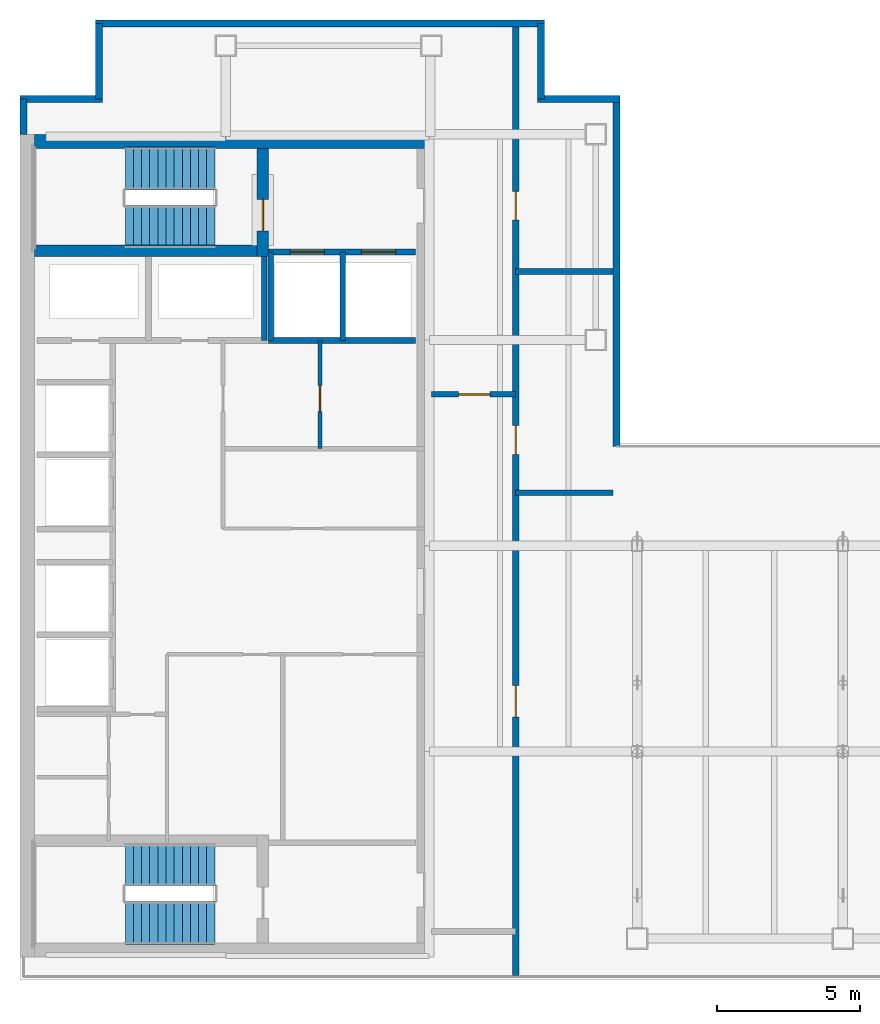
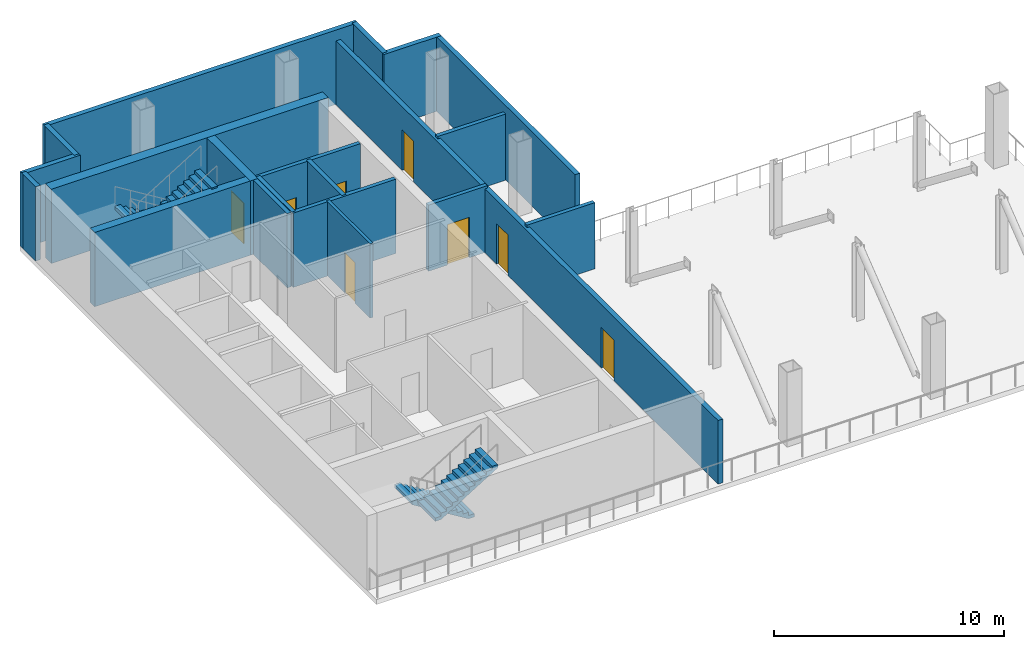
# One storey, part 4 of 5: 20 walls, 8 doors, 4 stair flights, 8 openings, 2 elements without a shape of their own.
"""IFC4 building model written with IfcOpenShell, lengths in metres."""

from ifc_helpers import new_model, si_unit, direction, frame, frame_2d, origin, place, context, subcontext, project, spatial, polyline, rectangle, outline, extrude, material, layer, layer_set, type_object, element, fill, aggregate, save


model = new_model("IFC4")

# Units and contexts
model_context = context("Model", 3, precision=1e-05, world=origin(), true_north=direction((0.0, 1.0)))
body_context = subcontext(model_context, "Body", "Model", "MODEL_VIEW")
ifc_project = project(units=[si_unit("LENGTHUNIT", "METRE"), si_unit("AREAUNIT", "SQUARE_METRE"), si_unit("VOLUMEUNIT", "CUBIC_METRE"), si_unit("PLANEANGLEUNIT", "RADIAN"), si_unit("MASSUNIT", "GRAM", prefix="KILO")], contexts=[model_context])

# Site, building, storey
site_placement = place(None, origin())
site = spatial("IfcSite", under=ifc_project, at=site_placement, CompositionType="ELEMENT")
building_placement = place(site_placement, origin())
building = spatial("IfcBuilding", under=site, at=building_placement, Name="Cobrela Telecom Tower", CompositionType="ELEMENT")
storey_placement = place(building_placement, frame((0.0, 0.0, 236.949951171875)))
storey = spatial("IfcBuildingStorey", under=building, at=storey_placement, Name="L61", CompositionType="ELEMENT", Elevation=236.949951171875)

# Walls
ifc_material_1 = material(Name="Concrete C40/50", Category="concrete")
ifc_layer_1 = layer(ifc_material_1, 0.5)
ifc_layer_set_1 = layer_set([ifc_layer_1], Name="Concrete C40/50")
wall_type_1 = type_object("IfcWallType", Name="WALL-CORE-C40-500", PredefinedType="SHEAR", material=ifc_layer_set_1)
wall_1_placement = place(storey_placement, frame((0.5, 35.75, 0.0), z_axis=(0.0, 0.0, 1.0), x_axis=(1.0, 0.0, 0.0)))
element("IfcWall", 1, at=wall_1_placement, inside=storey, type_object=wall_type_1, Name="L61 North Core Shear Wall", PredefinedType="SHEAR", context=body_context, shape_type="SweptSolid", body=[
    extrude(rectangle(XDim=13.89990234375, YDim=0.5, at=frame_2d((6.949951171875, 0.0))), origin(), (0.0, 0.0, 1.0), 3.93994140625),
])
ifc_layer_2 = layer(ifc_material_1, 0.239990234375)
ifc_layer_set_2 = layer_set([ifc_layer_2], Name="Concrete C40/50")
wall_type_2 = type_object("IfcWallType", Name="WALL-EXT-300", PredefinedType="STANDARD", material=ifc_layer_set_2)
wall_2_placement = place(storey_placement, frame((0.1201171875, 36.0, 0.0), z_axis=(0.0, 0.0, 1.0), x_axis=(0.0, 1.0, 0.0)))
element("IfcWall", 2, at=wall_2_placement, inside=storey, type_object=wall_type_2, Name="L61 Refuge Insulated Exterior Wall 02", PredefinedType="STANDARD", context=body_context, shape_type="SweptSolid", body=[
    extrude(rectangle(XDim=1.22998046875, YDim=0.239990234375, at=frame_2d((0.614990234375, 0.0))), origin(), (0.0, 0.0, 1.0), 3.93994140625),
])
wall_3_placement = place(storey_placement, frame((0.0, 37.22998046875, 0.0), z_axis=(0.0, 0.0, 1.0), x_axis=(1.0, 0.0, 0.0)))
element("IfcWall", 3, at=wall_3_placement, inside=storey, type_object=wall_type_2, Name="L61 Refuge Insulated Exterior Wall 03", PredefinedType="STANDARD", context=body_context, shape_type="SweptSolid", body=[
    extrude(rectangle(XDim=2.889892578125, YDim=0.239990234375, at=frame_2d((1.44482421875, 0.0))), origin(), (0.0, 0.0, 1.0), 3.93994140625),
])
wall_4_placement = place(storey_placement, frame((2.77001953125, 37.22998046875, 0.0), z_axis=(0.0, 0.0, 1.0), x_axis=(0.0, 1.0, 0.0)))
element("IfcWall", 4, at=wall_4_placement, inside=storey, type_object=wall_type_2, Name="L61 Refuge Insulated Exterior Wall 04", PredefinedType="STANDARD", context=body_context, shape_type="SweptSolid", body=[
    extrude(rectangle(XDim=2.64990234375, YDim=0.239990234375, at=frame_2d((1.324951171875, 0.0))), origin(), (0.0, 0.0, 1.0), 3.93994140625),
])
wall_5_placement = place(storey_placement, frame((2.64990234375, 39.8798828125, 0.0), z_axis=(0.0, 0.0, 1.0), x_axis=(1.0, 0.0, 0.0)))
element("IfcWall", 5, at=wall_5_placement, inside=storey, type_object=wall_type_2, Name="L61 Refuge Insulated Exterior Wall 05", PredefinedType="STANDARD", context=body_context, shape_type="SweptSolid", body=[
    extrude(rectangle(XDim=15.7001953125, YDim=0.239990234375, at=frame_2d((7.85009765625, 0.0))), origin(), (0.0, 0.0, 1.0), 3.93994140625),
])
wall_6_placement = place(storey_placement, frame((18.22998046875, 39.8798828125, 0.0), z_axis=(0.0, 0.0, 1.0), x_axis=(0.0, -1.0, 0.0)))
element("IfcWall", 6, at=wall_6_placement, inside=storey, type_object=wall_type_2, Name="L61 Refuge Insulated Exterior Wall 06", PredefinedType="STANDARD", context=body_context, shape_type="SweptSolid", body=[
    extrude(rectangle(XDim=2.64990234375, YDim=0.239990234375, at=frame_2d((1.324951171875, 0.0))), origin(), (0.0, 0.0, 1.0), 3.93994140625),
])
wall_7_placement = place(storey_placement, frame((18.110107421875, 37.22998046875, 0.0), z_axis=(0.0, 0.0, 1.0), x_axis=(1.0, 0.0, 0.0)))
element("IfcWall", 7, at=wall_7_placement, inside=storey, type_object=wall_type_2, Name="L61 Refuge Insulated Exterior Wall 07", PredefinedType="STANDARD", context=body_context, shape_type="SweptSolid", body=[
    extrude(rectangle(XDim=2.889892578125, YDim=0.239990234375, at=frame_2d((1.44482421875, 0.0))), origin(), (0.0, 0.0, 1.0), 3.93994140625),
])
wall_8_placement = place(storey_placement, frame((20.8798828125, 37.22998046875, 0.0), z_axis=(0.0, 0.0, 1.0), x_axis=(0.0, -1.0, 0.0)))
element("IfcWall", 8, at=wall_8_placement, inside=storey, type_object=wall_type_2, Name="L61 Refuge Insulated Exterior Wall 08", PredefinedType="STANDARD", context=body_context, shape_type="SweptSolid", body=[
    extrude(rectangle(XDim=12.14990234375, YDim=0.239990234375, at=frame_2d((6.074951171875, 0.0))), origin(), (0.0, 0.0, 1.0), 3.93994140625),
])

# Wall, openings, doors
wall_9_placement = place(storey_placement, frame((17.35009765625, 6.550048828125, 0.0), z_axis=(0.0, 0.0, 1.0), x_axis=(0.0, 1.0, 0.0)))
wall_9 = element("IfcWall", 9, at=wall_9_placement, inside=storey, type_object=wall_type_2, Name="L61 Shaft Enclosure W-TB-E", PredefinedType="STANDARD", context=body_context, shape_type="SweptSolid", body=[
    extrude(rectangle(XDim=33.199951171875, YDim=0.239990234375, at=frame_2d((16.60009765625, 0.0))), origin(), (0.0, 0.0, 1.0), 3.3759765625),
])
opening_1_placement = place(wall_9_placement, frame((26.449951171875, 0.0, 0.0)))
opening_1 = element("IfcOpeningElement", 10, at=opening_1_placement, cuts=wall_9, Name="Opening DR-15", PredefinedType="OPENING", context=body_context, shape_type="SweptSolid", body=[
    extrude(rectangle(XDim=1.0, YDim=2.14990234375, at=frame_2d((0.5, 1.074951171875))), frame((0.0, 0.1318359375, 0.0), z_axis=(0.0, -1.0, 0.0), x_axis=(1.0, 0.0, 0.0)), (0.0, 0.0, 1.0), 0.263916015625),
])
opening_2_placement = place(wall_9_placement, frame((18.25, 0.0, 0.0)))
opening_2 = element("IfcOpeningElement", 11, at=opening_2_placement, cuts=wall_9, Name="Opening DR-15", PredefinedType="OPENING", context=body_context, shape_type="SweptSolid", body=[
    extrude(rectangle(XDim=1.0, YDim=2.14990234375, at=frame_2d((0.5, 1.074951171875))), frame((0.0, 0.1318359375, 0.0), z_axis=(0.0, -1.0, 0.0), x_axis=(1.0, 0.0, 0.0)), (0.0, 0.0, 1.0), 0.263916015625),
])
opening_3_placement = place(wall_9_placement, frame((9.050048828125, 0.0, 0.0)))
opening_3 = element("IfcOpeningElement", 12, at=opening_3_placement, cuts=wall_9, Name="Opening ED-3", PredefinedType="OPENING", context=body_context, shape_type="SweptSolid", body=[
    extrude(rectangle(XDim=1.10009765625, YDim=2.14990234375, at=frame_2d((0.550048828125, 1.074951171875))), frame((0.0, 0.1318359375, 0.0), z_axis=(0.0, -1.0, 0.0), x_axis=(1.0, 0.0, 0.0)), (0.0, 0.0, 1.0), 0.263916015625),
])
ifc_material_2 = material(Name="Anodized Bronze Aluminium 6063-T6", Category="aluminium")
door_type_1 = type_object("IfcDoorType", Name="DOOR-EXT-1100", OperationType="SINGLE_SWING_LEFT", PredefinedType="DOOR", material=ifc_material_2)
door_1_placement = place(opening_3_placement, origin())
door_1 = element("IfcDoor", 13, at=door_1_placement, inside=storey, type_object=door_type_1, Name="L61 Door ED-3", OperationType="SINGLE_SWING_RIGHT", OverallHeight=2.14990234375, OverallWidth=1.10009765625, PredefinedType="DOOR", context=body_context, shape_type="SweptSolid", body=[
    extrude(rectangle(XDim=1.10009765625, YDim=2.14990234375, at=frame_2d((0.550048828125, 1.074951171875))), frame((0.0, 0.02490234375, 0.0), z_axis=(0.0, -1.0, 0.0), x_axis=(1.0, 0.0, 0.0)), (0.0, 0.0, 1.0), 0.050048828125),
])
fill(opening_3, door_1)
ifc_material_3 = material(Name="Steel ASTM A36", Category="steel")
door_type_2 = type_object("IfcDoorType", Name="DOOR-FD60-1000", OperationType="SINGLE_SWING_LEFT", PredefinedType="DOOR", material=ifc_material_3)
door_2_placement = place(opening_1_placement, origin())
door_2 = element("IfcDoor", 14, at=door_2_placement, inside=storey, type_object=door_type_2, Name="L61 Door DR-15", OperationType="SINGLE_SWING_RIGHT", OverallHeight=2.14990234375, OverallWidth=1.0, PredefinedType="DOOR", context=body_context, shape_type="SweptSolid", body=[
    extrude(rectangle(XDim=1.0, YDim=2.14990234375, at=frame_2d((0.5, 1.074951171875))), frame((0.0, 0.02490234375, 0.0), z_axis=(0.0, -1.0, 0.0), x_axis=(1.0, 0.0, 0.0)), (0.0, 0.0, 1.0), 0.050048828125),
])
fill(opening_1, door_2)
door_3_placement = place(opening_2_placement, origin())
door_3 = element("IfcDoor", 15, at=door_3_placement, inside=storey, type_object=door_type_2, Name="L61 Door DR-15", OperationType="SINGLE_SWING_LEFT", OverallHeight=2.14990234375, OverallWidth=1.0, PredefinedType="DOOR", context=body_context, shape_type="SweptSolid", body=[
    extrude(rectangle(XDim=1.0, YDim=2.14990234375, at=frame_2d((0.5, 1.074951171875))), frame((0.0, 0.02490234375, 0.0), z_axis=(0.0, -1.0, 0.0), x_axis=(1.0, 0.0, 0.0)), (0.0, 0.0, 1.0), 0.050048828125),
])
fill(opening_2, door_3)

# Wall, opening, door
ifc_material_4 = material(Name="Fire-Rated Gypsum Plasterboard")
ifc_layer_3 = layer(ifc_material_4, 0.14990234375)
ifc_layer_set_3 = layer_set([ifc_layer_3], Name="Fire-Rated Gypsum Plasterboard")
wall_type_3 = type_object("IfcWallType", Name="WALL-PART-150", PredefinedType="PARTITIONING", material=ifc_layer_set_3)
wall_10_placement = place(storey_placement, frame((10.5, 25.0, 0.0), z_axis=(0.0, 0.0, 1.0), x_axis=(0.0, 1.0, 0.0)))
wall_10 = element("IfcWall", 16, at=wall_10_placement, inside=storey, type_object=wall_type_3, Name="L61 Interior Partition CW-RECL-VN", PredefinedType="PARTITIONING", context=body_context, shape_type="SweptSolid", body=[
    extrude(rectangle(XDim=3.780029296875, YDim=0.14990234375, at=frame_2d((1.89013671875, 0.0))), origin(), (0.0, 0.0, 1.0), 3.93994140625),
])
opening_4_placement = place(wall_10_placement, frame((1.300048828125, 0.0, 0.0)))
opening_4 = element("IfcOpeningElement", 17, at=opening_4_placement, cuts=wall_10, Name="Opening DR-41", PredefinedType="OPENING", context=body_context, shape_type="SweptSolid", body=[
    extrude(rectangle(XDim=0.89990234375, YDim=2.14990234375, at=frame_2d((0.449951171875, 1.074951171875))), frame((0.0, 0.0869140625, 0.0), z_axis=(0.0, -1.0, 0.0), x_axis=(1.0, 0.0, 0.0)), (0.0, 0.0, 1.0), 0.173828125),
])
ifc_material_5 = material(Name="Solid Engineered Oak Timber", Category="wood")
door_type_3 = type_object("IfcDoorType", Name="DOOR-INT-900", OperationType="SINGLE_SWING_LEFT", PredefinedType="DOOR", material=ifc_material_5)
door_4_placement = place(opening_4_placement, origin())
door_4 = element("IfcDoor", 18, at=door_4_placement, inside=storey, type_object=door_type_3, Name="L61 Door DR-41", OperationType="SINGLE_SWING_LEFT", OverallHeight=2.14990234375, OverallWidth=0.89990234375, PredefinedType="DOOR", context=body_context, shape_type="SweptSolid", body=[
    extrude(rectangle(XDim=0.89990234375, YDim=2.14990234375, at=frame_2d((0.449951171875, 1.074951171875))), frame((0.0, 0.02490234375, 0.0), z_axis=(0.0, -1.0, 0.0), x_axis=(1.0, 0.0, 0.0)), (0.0, 0.0, 1.0), 0.050048828125),
])
fill(opening_4, door_4)

# Wall, openings, doors
ifc_layer_4 = layer(ifc_material_4, 0.199951171875)
ifc_layer_set_4 = layer_set([ifc_layer_4], Name="Fire-Rated Gypsum Plasterboard")
wall_type_4 = type_object("IfcWallType", Name="WALL-SHAFT-200", PredefinedType="PARTITIONING", material=ifc_layer_set_4)
wall_11_placement = place(storey_placement, frame((8.699951171875, 31.8798828125, 0.0), z_axis=(0.0, 0.0, 1.0), x_axis=(1.0, 0.0, 0.0)))
wall_11 = element("IfcWall", 19, at=wall_11_placement, inside=storey, type_object=wall_type_4, Name="L61 Shaft Enclosure CW-FFL-S", PredefinedType="PARTITIONING", context=body_context, shape_type="SweptSolid", body=[
    extrude(rectangle(XDim=5.150146484375, YDim=0.199951171875, at=frame_2d((2.5751953125, 0.0))), origin(), (0.0, 0.0, 1.0), 3.93994140625),
])
opening_5_placement = place(wall_11_placement, frame((0.75, 0.0, 0.0)))
opening_5 = element("IfcOpeningElement", 20, at=opening_5_placement, cuts=wall_11, Name="Opening LD-2", PredefinedType="OPENING", context=body_context, shape_type="SweptSolid", body=[
    extrude(rectangle(XDim=1.199951171875, YDim=2.199951171875, at=frame_2d((0.60009765625, 1.10009765625))), frame((0.0, 0.11181640625, 0.0), z_axis=(0.0, -1.0, 0.0), x_axis=(1.0, 0.0, 0.0)), (0.0, 0.0, 1.0), 0.223876953125),
])
opening_6_placement = place(wall_11_placement, frame((3.25, 0.0, 0.0)))
opening_6 = element("IfcOpeningElement", 21, at=opening_6_placement, cuts=wall_11, Name="Opening LD-2", PredefinedType="OPENING", context=body_context, shape_type="SweptSolid", body=[
    extrude(rectangle(XDim=1.199951171875, YDim=2.199951171875, at=frame_2d((0.60009765625, 1.10009765625))), frame((0.0, 0.11181640625, 0.0), z_axis=(0.0, -1.0, 0.0), x_axis=(1.0, 0.0, 0.0)), (0.0, 0.0, 1.0), 0.223876953125),
])
door_type_4 = type_object("IfcDoorType", Name="DOOR-LD-FFL", OperationType="SINGLE_SWING_LEFT", PredefinedType="DOOR", material=ifc_material_3)
door_5_placement = place(opening_5_placement, origin())
door_5 = element("IfcDoor", 22, at=door_5_placement, inside=storey, type_object=door_type_4, Name="L61 Lift Landing Door LD-2", OperationType="DOUBLE_DOOR_SLIDING", OverallHeight=2.199951171875, OverallWidth=1.199951171875, PredefinedType="DOOR", context=body_context, shape_type="SweptSolid", body=[
    extrude(rectangle(XDim=1.199951171875, YDim=2.199951171875, at=frame_2d((0.60009765625, 1.10009765625))), frame((0.0, 0.02490234375, 0.0), z_axis=(0.0, -1.0, 0.0), x_axis=(1.0, 0.0, 0.0)), (0.0, 0.0, 1.0), 0.050048828125),
])
fill(opening_5, door_5)
door_6_placement = place(opening_6_placement, origin())
door_6 = element("IfcDoor", 23, at=door_6_placement, inside=storey, type_object=door_type_4, Name="L61 Lift Landing Door LD-2", OperationType="DOUBLE_DOOR_SLIDING", OverallHeight=2.199951171875, OverallWidth=1.199951171875, PredefinedType="DOOR", context=body_context, shape_type="SweptSolid", body=[
    extrude(rectangle(XDim=1.199951171875, YDim=2.199951171875, at=frame_2d((0.60009765625, 1.10009765625))), frame((0.0, 0.02490234375, 0.0), z_axis=(0.0, -1.0, 0.0), x_axis=(1.0, 0.0, 0.0)), (0.0, 0.0, 1.0), 0.050048828125),
])
fill(opening_6, door_6)

# Walls
wall_12_placement = place(storey_placement, frame((8.699951171875, 28.780029296875, 0.0), z_axis=(0.0, 0.0, 1.0), x_axis=(1.0, 0.0, 0.0)))
element("IfcWall", 24, at=wall_12_placement, inside=storey, type_object=wall_type_4, Name="L61 Shaft Enclosure CW-FFL-S2", PredefinedType="PARTITIONING", context=body_context, shape_type="SweptSolid", body=[
    extrude(rectangle(XDim=5.150146484375, YDim=0.199951171875, at=frame_2d((2.5751953125, 0.0))), origin(), (0.0, 0.0, 1.0), 3.93994140625),
])
for number, where, z_axis, x_axis, name in (
    (25, (8.780029296875, 28.780029296875, 0.0), (0.0, 0.0, 1.0), (0.0, 1.0, 0.0), "L61 Shaft Enclosure CW-FFL-W"),
    (26, (11.300048828125, 28.780029296875, 0.0), (0.0, 0.0, 1.0), (0.0, 1.0, 0.0), "L61 Shaft Enclosure CW-FFL-M"),
):
    element("IfcWall", number, at=place(storey_placement, frame(where, z_axis=z_axis, x_axis=x_axis)), inside=storey, type_object=wall_type_4, Name=name, PredefinedType="PARTITIONING", context=body_context, shape_type="SweptSolid", body=[
        extrude(rectangle(XDim=3.099853515625, YDim=0.199951171875, at=frame_2d((1.5498046875, 0.0))), origin(), (0.0, 0.0, 1.0), 3.93994140625),
    ])
wall_13_placement = place(storey_placement, frame((8.550048828125, 28.780029296875, 0.0), z_axis=(0.0, 0.0, 1.0), x_axis=(0.0, 1.0, 0.0)))
element("IfcWall", 27, at=wall_13_placement, inside=storey, type_object=wall_type_4, Name="L61 Shaft Enclosure CW-RIS-E", PredefinedType="PARTITIONING", context=body_context, shape_type="SweptSolid", body=[
    extrude(rectangle(XDim=2.93994140625, YDim=0.199951171875, at=frame_2d((1.469970703125, 0.0))), origin(), (0.0, 0.0, 1.0), 3.93994140625),
])

# Wall, opening, door
wall_14_placement = place(storey_placement, frame((14.39990234375, 26.89990234375, 0.0), z_axis=(0.0, 0.0, 1.0), x_axis=(1.0, 0.0, 0.0)))
wall_14 = element("IfcWall", 28, at=wall_14_placement, inside=storey, type_object=wall_type_4, Name="L61 Shaft Enclosure W-TB-N", PredefinedType="PARTITIONING", context=body_context, shape_type="SweptSolid", body=[
    extrude(rectangle(XDim=2.9501953125, YDim=0.199951171875, at=frame_2d((1.47509765625, 0.0))), origin(), (0.0, 0.0, 1.0), 3.508056640625),
])
opening_7_placement = place(wall_14_placement, frame((0.949951171875, 0.0, 0.0)))
opening_7 = element("IfcOpeningElement", 29, at=opening_7_placement, cuts=wall_14, Name="Opening DR-59", PredefinedType="OPENING", context=body_context, shape_type="SweptSolid", body=[
    extrude(rectangle(XDim=1.10009765625, YDim=2.14990234375, at=frame_2d((0.550048828125, 1.074951171875))), frame((0.0, 0.11181640625, 0.0), z_axis=(0.0, -1.0, 0.0), x_axis=(1.0, 0.0, 0.0)), (0.0, 0.0, 1.0), 0.223876953125),
])
door_type_5 = type_object("IfcDoorType", Name="DOOR-FD60-1100", OperationType="SINGLE_SWING_LEFT", PredefinedType="DOOR", material=ifc_material_3)
door_7_placement = place(opening_7_placement, origin())
door_7 = element("IfcDoor", 30, at=door_7_placement, inside=storey, type_object=door_type_5, Name="L61 Door DR-59", OperationType="SINGLE_SWING_LEFT", OverallHeight=2.14990234375, OverallWidth=1.10009765625, PredefinedType="DOOR", context=body_context, shape_type="SweptSolid", body=[
    extrude(rectangle(XDim=1.10009765625, YDim=2.14990234375, at=frame_2d((0.550048828125, 1.074951171875))), frame((0.0, 0.02490234375, 0.0), z_axis=(0.0, -1.0, 0.0), x_axis=(1.0, 0.0, 0.0)), (0.0, 0.0, 1.0), 0.050048828125),
])
fill(opening_7, door_7)

# Walls
for number, where, z_axis, x_axis, name in (
    (31, (17.35009765625, 23.449951171875, 0.0), (0.0, 0.0, 1.0), (1.0, 0.0, 0.0), "L61 Shaft Enclosure W-TB-P1S"),
    (32, (17.35009765625, 31.199951171875, 0.0), (0.0, 0.0, 1.0), (1.0, 0.0, 0.0), "L61 Shaft Enclosure W-TB-NH"),
):
    element("IfcWall", number, at=place(storey_placement, frame(where, z_axis=z_axis, x_axis=x_axis)), inside=storey, type_object=wall_type_4, Name=name, PredefinedType="PARTITIONING", context=body_context, shape_type="SweptSolid", body=[
        extrude(rectangle(XDim=3.39990234375, YDim=0.199951171875, at=frame_2d((1.699951171875, 0.0))), origin(), (0.0, 0.0, 1.0), 3.508056640625),
    ])
ifc_layer_5 = layer(ifc_material_1, 0.39990234375)
ifc_layer_set_5 = layer_set([ifc_layer_5], Name="Concrete C40/50")
wall_type_5 = type_object("IfcWallType", Name="WALL-SHAFT-C40-400", PredefinedType="SHEAR", material=ifc_layer_set_5)
wall_15_placement = place(storey_placement, frame((0.5, 31.919921875, 0.0), z_axis=(0.0, 0.0, 1.0), x_axis=(1.0, 0.0, 0.0)))
element("IfcWall", 33, at=wall_15_placement, inside=storey, type_object=wall_type_5, Name="L61 North Stair Shear Wall", PredefinedType="SHEAR", context=body_context, shape_type="SweptSolid", body=[
    extrude(rectangle(XDim=7.800048828125, YDim=0.39990234375, at=frame_2d((3.89990234375, 0.0))), origin(), (0.0, 0.0, 1.0), 3.93994140625),
])

# Wall, opening, door
wall_16_placement = place(storey_placement, frame((8.5, 31.719970703125, 0.0), z_axis=(0.0, 0.0, 1.0), x_axis=(0.0, 1.0, 0.0)))
wall_16 = element("IfcWall", 34, at=wall_16_placement, inside=storey, type_object=wall_type_5, Name="L61 North Stair Lobby Shear Wall", PredefinedType="SHEAR", context=body_context, shape_type="SweptSolid", body=[
    extrude(rectangle(XDim=3.780029296875, YDim=0.39990234375, at=frame_2d((1.89013671875, 0.0))), origin(), (0.0, 0.0, 1.0), 3.93994140625),
])
opening_8_placement = place(wall_16_placement, frame((0.89990234375, 0.0, 0.0)))
opening_8 = element("IfcOpeningElement", 35, at=opening_8_placement, cuts=wall_16, Name="Opening DR-59", PredefinedType="OPENING", context=body_context, shape_type="SweptSolid", body=[
    extrude(rectangle(XDim=1.10009765625, YDim=2.14990234375, at=frame_2d((0.550048828125, 1.074951171875))), frame((0.0, 0.2119140625, 0.0), z_axis=(0.0, -1.0, 0.0), x_axis=(1.0, 0.0, 0.0)), (0.0, 0.0, 1.0), 0.423828125),
])
door_8_placement = place(opening_8_placement, origin())
door_8 = element("IfcDoor", 36, at=door_8_placement, inside=storey, type_object=door_type_5, Name="L61 Door DR-59", OperationType="SINGLE_SWING_RIGHT", OverallHeight=2.14990234375, OverallWidth=1.10009765625, PredefinedType="DOOR", context=body_context, shape_type="SweptSolid", body=[
    extrude(rectangle(XDim=1.10009765625, YDim=2.14990234375, at=frame_2d((0.550048828125, 1.074951171875))), frame((0.0, 0.02490234375, 0.0), z_axis=(0.0, -1.0, 0.0), x_axis=(1.0, 0.0, 0.0)), (0.0, 0.0, 1.0), 0.050048828125),
])
fill(opening_8, door_8)

# Stair, stair flights
stair_type = type_object("IfcStairType", Name="STAIR-CORE", PredefinedType="HALF_TURN_STAIR", material=ifc_material_1)
stair_1_placement = place(storey_placement, origin())
stair_1 = element("IfcStair", 37, at=stair_1_placement, inside=storey, type_object=stair_type, Name="L61 Smokeproof Exit Stair ST1", PredefinedType="HALF_TURN_STAIR")
stair_flight_type = type_object("IfcStairFlightType", Name="FLIGHT-CORE", PredefinedType="STRAIGHT", material=ifc_material_1)
stair_flight_1_placement = place(storey_placement, frame((6.820068359375, 34.800048828125, 0.0), z_axis=(0.0, 0.0, 1.0), x_axis=(-1.0, 0.0, 0.0)))
stair_flight_1 = element("IfcStairFlight", 38, at=stair_flight_1_placement, type_object=stair_flight_type, Name="ST1 flight 1", NumberOfRisers=12, NumberOfTreads=11, PredefinedType="STRAIGHT", RiserHeight=0.175, TreadLength=0.285, context=body_context, shape_type="SweptSolid", body=[
    extrude(outline(polyline([(0.0, 0.0), (0.0, 0.175048828125), (0.284912109375, 0.175048828125), (0.284912109375, 0.35009765625), (0.570068359375, 0.35009765625), (0.570068359375, 0.52490234375), (0.85498046875, 0.52490234375), (0.85498046875, 0.699951171875), (1.139892578125, 0.699951171875), (1.139892578125, 0.875), (1.425048828125, 0.875), (1.425048828125, 1.050048828125), (1.7099609375, 1.050048828125), (1.7099609375, 1.22509765625), (1.9951171875, 1.22509765625), (1.9951171875, 1.39990234375), (2.280029296875, 1.39990234375), (2.280029296875, 1.574951171875), (2.56494140625, 1.574951171875), (2.56494140625, 1.75), (2.85009765625, 1.75), (2.85009765625, 1.925048828125), (3.135009765625, 1.925048828125), (3.135009765625, 2.10009765625), (3.135009765625, 1.7490234375), (0.286376953125, 0.0), (0.0, 0.0)])), frame((0.0, 0.75, 0.0), z_axis=(0.0, -1.0, 0.0), x_axis=(1.0, 0.0, 0.0)), (0.0, 0.0, 1.0), 1.5),
])
stair_flight_2_placement = place(storey_placement, frame((3.68505859375, 32.75, 2.10009765625), z_axis=(0.0, 0.0, 1.0), x_axis=(1.0, 0.0, 0.0)))
stair_flight_2 = element("IfcStairFlight", 39, at=stair_flight_2_placement, type_object=stair_flight_type, Name="ST1 flight 2", NumberOfRisers=12, NumberOfTreads=11, PredefinedType="STRAIGHT", RiserHeight=0.175, TreadLength=0.285, context=body_context, shape_type="SweptSolid", body=[
    extrude(outline(polyline([(0.0, 0.0), (0.0, 0.175048828125), (0.284912109375, 0.175048828125), (0.284912109375, 0.35009765625), (0.570068359375, 0.35009765625), (0.570068359375, 0.52490234375), (0.85498046875, 0.52490234375), (0.85498046875, 0.699951171875), (1.139892578125, 0.699951171875), (1.139892578125, 0.875), (1.425048828125, 0.875), (1.425048828125, 1.050048828125), (1.7099609375, 1.050048828125), (1.7099609375, 1.22509765625), (1.9951171875, 1.22509765625), (1.9951171875, 1.39990234375), (2.280029296875, 1.39990234375), (2.280029296875, 1.574951171875), (2.56494140625, 1.574951171875), (2.56494140625, 1.75), (2.85009765625, 1.75), (2.85009765625, 1.925048828125), (3.135009765625, 1.925048828125), (3.135009765625, 2.10009765625), (3.135009765625, 1.7490234375), (0.286376953125, 0.0), (0.0, 0.0)])), frame((0.0, 0.75, 0.0), z_axis=(0.0, -1.0, 0.0), x_axis=(1.0, 0.0, 0.0)), (0.0, 0.0, 1.0), 1.5),
])
aggregate(stair_1, [stair_flight_1, stair_flight_2])

stair_2_placement = place(storey_placement, origin())
stair_2 = element("IfcStair", 40, at=stair_2_placement, inside=storey, type_object=stair_type, Name="L61 Smokeproof Exit Stair ST2", PredefinedType="HALF_TURN_STAIR")
stair_flight_3_placement = place(storey_placement, frame((6.820068359375, 10.449951171875, 0.0), z_axis=(0.0, 0.0, 1.0), x_axis=(-1.0, 0.0, 0.0)))
stair_flight_3 = element("IfcStairFlight", 41, at=stair_flight_3_placement, type_object=stair_flight_type, Name="ST2 flight 1", NumberOfRisers=12, NumberOfTreads=11, PredefinedType="STRAIGHT", RiserHeight=0.175, TreadLength=0.285, context=body_context, shape_type="SweptSolid", body=[
    extrude(outline(polyline([(0.0, 0.0), (0.0, 0.175048828125), (0.284912109375, 0.175048828125), (0.284912109375, 0.35009765625), (0.570068359375, 0.35009765625), (0.570068359375, 0.52490234375), (0.85498046875, 0.52490234375), (0.85498046875, 0.699951171875), (1.139892578125, 0.699951171875), (1.139892578125, 0.875), (1.425048828125, 0.875), (1.425048828125, 1.050048828125), (1.7099609375, 1.050048828125), (1.7099609375, 1.22509765625), (1.9951171875, 1.22509765625), (1.9951171875, 1.39990234375), (2.280029296875, 1.39990234375), (2.280029296875, 1.574951171875), (2.56494140625, 1.574951171875), (2.56494140625, 1.75), (2.85009765625, 1.75), (2.85009765625, 1.925048828125), (3.135009765625, 1.925048828125), (3.135009765625, 2.10009765625), (3.135009765625, 1.7490234375), (0.286376953125, 0.0), (0.0, 0.0)])), frame((0.0, 0.75, 0.0), z_axis=(0.0, -1.0, 0.0), x_axis=(1.0, 0.0, 0.0)), (0.0, 0.0, 1.0), 1.5),
])
stair_flight_4_placement = place(storey_placement, frame((3.68505859375, 8.39990234375, 2.10009765625), z_axis=(0.0, 0.0, 1.0), x_axis=(1.0, 0.0, 0.0)))
stair_flight_4 = element("IfcStairFlight", 42, at=stair_flight_4_placement, type_object=stair_flight_type, Name="ST2 flight 2", NumberOfRisers=12, NumberOfTreads=11, PredefinedType="STRAIGHT", RiserHeight=0.175, TreadLength=0.285, context=body_context, shape_type="SweptSolid", body=[
    extrude(outline(polyline([(0.0, 0.0), (0.0, 0.175048828125), (0.284912109375, 0.175048828125), (0.284912109375, 0.35009765625), (0.570068359375, 0.35009765625), (0.570068359375, 0.52490234375), (0.85498046875, 0.52490234375), (0.85498046875, 0.699951171875), (1.139892578125, 0.699951171875), (1.139892578125, 0.875), (1.425048828125, 0.875), (1.425048828125, 1.050048828125), (1.7099609375, 1.050048828125), (1.7099609375, 1.22509765625), (1.9951171875, 1.22509765625), (1.9951171875, 1.39990234375), (2.280029296875, 1.39990234375), (2.280029296875, 1.574951171875), (2.56494140625, 1.574951171875), (2.56494140625, 1.75), (2.85009765625, 1.75), (2.85009765625, 1.925048828125), (3.135009765625, 1.925048828125), (3.135009765625, 2.10009765625), (3.135009765625, 1.7490234375), (0.286376953125, 0.0), (0.0, 0.0)])), frame((0.0, 0.75, 0.0), z_axis=(0.0, -1.0, 0.0), x_axis=(1.0, 0.0, 0.0)), (0.0, 0.0, 1.0), 1.5),
])
aggregate(stair_2, [stair_flight_3, stair_flight_4])

save(model, "model.ifc")
